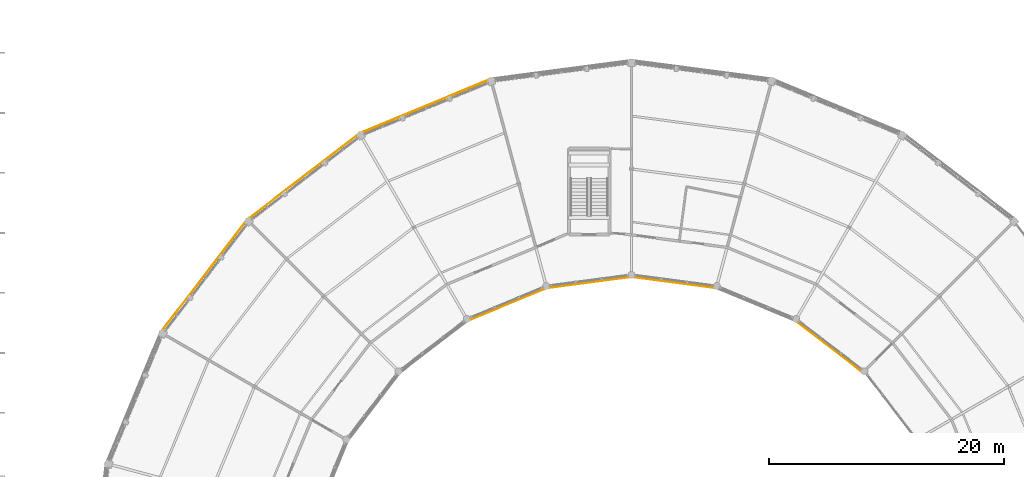
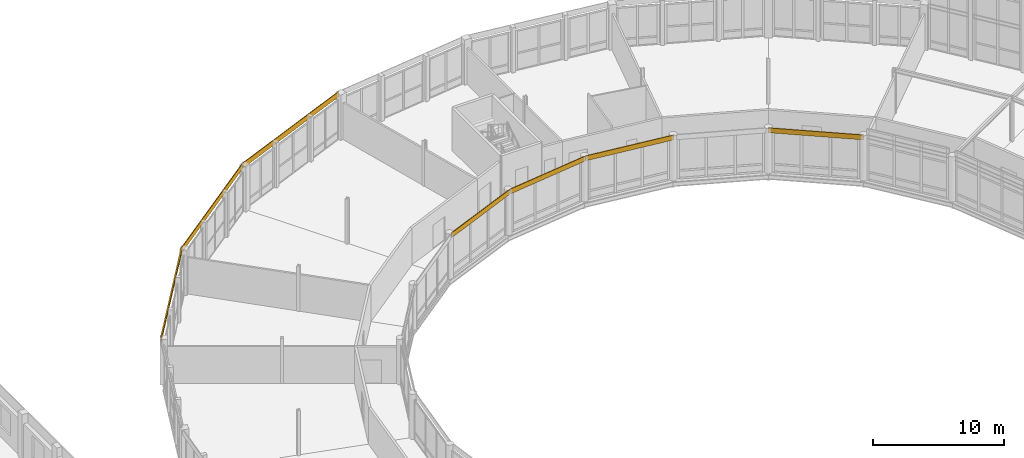
# One storey, part 179 of 185: 7 coverings.
"""IFC4 building model written with IfcOpenShell, lengths in metres."""

from ifc_helpers import new_model, si_unit, direction, frame, origin, origin_2d, place, context, subcontext, project, spatial, rectangle, extrude, material, layer, layer_set, type_object, element, save


model = new_model("IFC4")

# Units and contexts
model_context = context("Model", 3, precision=1e-05, world=origin(), true_north=direction((0.0, 1.0)))
body_context = subcontext(model_context, "Body", "Model", "MODEL_VIEW")
ifc_project = project(units=[si_unit("LENGTHUNIT", "METRE"), si_unit("AREAUNIT", "SQUARE_METRE"), si_unit("VOLUMEUNIT", "CUBIC_METRE"), si_unit("PLANEANGLEUNIT", "RADIAN"), si_unit("MASSUNIT", "GRAM", prefix="KILO")], contexts=[model_context])

# Site, building, storey
site_placement = place(None, origin())
site = spatial("IfcSite", under=ifc_project, at=site_placement, CompositionType="ELEMENT")
building_placement = place(site_placement, origin())
building = spatial("IfcBuilding", under=site, at=building_placement, Name="Vondelvale Polytechnic", CompositionType="ELEMENT")
storey_placement = place(building_placement, frame((0.0, 0.0, 9.60009765625)))
storey = spatial("IfcBuildingStorey", under=building, at=storey_placement, Name="L02", CompositionType="ELEMENT", Elevation=9.60009765625)

# Coverings
ifc_material = material(Name="Engineered Tasmanian oak studio and bridge joinery")
ifc_layer = layer(ifc_material, 0.06494140625)
ifc_layer_set = layer_set([ifc_layer], Name="COV-OAK-SPANDREL")
covering_type = type_object("IfcCoveringType", Name="COV-OAK-SPANDREL", PredefinedType="CLADDING", material=ifc_layer_set)
covering_1_placement = place(storey_placement, frame((118.79541015625, 93.88818359375, 3.75), z_axis=(0.0, 0.0, 1.0), x_axis=(-0.793353340291, 0.608761429009, 0.0)))
element("IfcCovering", 1, at=covering_1_placement, inside=storey, type_object=covering_type, Name="L02 exterior masonry spandrel band", PredefinedType="CLADDING", context=body_context, shape_type="SweptSolid", body=[
    extrude(rectangle(XDim=7.3095703125, YDim=0.06494140625, at=origin_2d()), origin(), (0.0, 0.0, 1.0), 0.449951171875),
])
for number, where, z_axis, x_axis, name in (
    (2, (105.60107421875, 99.353515625, 3.75), (0.0, 0.0, 1.0), (-0.991444861374, 0.13052619222, 0.0), "L02 exterior masonry spandrel band"),
    (3, (98.39892578125, 99.353515625, 3.75), (0.0, 0.0, 1.0), (-0.991444861374, -0.13052619222, 0.0), "L02 exterior masonry spandrel band"),
):
    element("IfcCovering", number, at=place(storey_placement, frame(where, z_axis=z_axis, x_axis=x_axis)), inside=storey, type_object=covering_type, Name=name, PredefinedType="CLADDING", context=body_context, shape_type="SweptSolid", body=[
        extrude(rectangle(XDim=7.309326171875, YDim=0.06494140625, at=origin_2d()), origin(), (0.0, 0.0, 1.0), 0.449951171875),
    ])
covering_2_placement = place(storey_placement, frame((91.44189453125, 97.4892578125, 3.75), z_axis=(0.0, 0.0, 1.0), x_axis=(-0.923879532511, -0.382683432365, 0.0)))
element("IfcCovering", 4, at=covering_2_placement, inside=storey, type_object=covering_type, Name="L02 exterior masonry spandrel band", PredefinedType="CLADDING", context=body_context, shape_type="SweptSolid", body=[
    extrude(rectangle(XDim=7.3095703125, YDim=0.06494140625, at=origin_2d()), origin(), (0.0, 0.0, 1.0), 0.449951171875),
])
for number, where, z_axis, x_axis, name in (
    (5, (84.466552734375, 114.32958984375, 3.719970703125), (0.0, 0.0, 1.0), (-0.923879532511, -0.382683432365, 0.0), "L02 exterior masonry spandrel band"),
    (6, (74.1083984375, 108.34912109375, 3.719970703125), (0.0, 0.0, 1.0), (-0.793353340291, -0.608761429009, 0.0), "L02 exterior masonry spandrel band"),
    (7, (65.65087890625, 99.8916015625, 3.719970703125), (0.0, 0.0, 1.0), (-0.608761429009, -0.793353340291, 0.0), "L02 exterior masonry spandrel band"),
):
    element("IfcCovering", number, at=place(storey_placement, frame(where, z_axis=z_axis, x_axis=x_axis)), inside=storey, type_object=covering_type, Name=name, PredefinedType="CLADDING", context=body_context, shape_type="SweptSolid", body=[
        extrude(rectangle(XDim=12.00830078125, YDim=0.06494140625, at=origin_2d()), origin(), (0.0, 0.0, 1.0), 0.47998046875),
    ])

save(model, "model.ifc")
